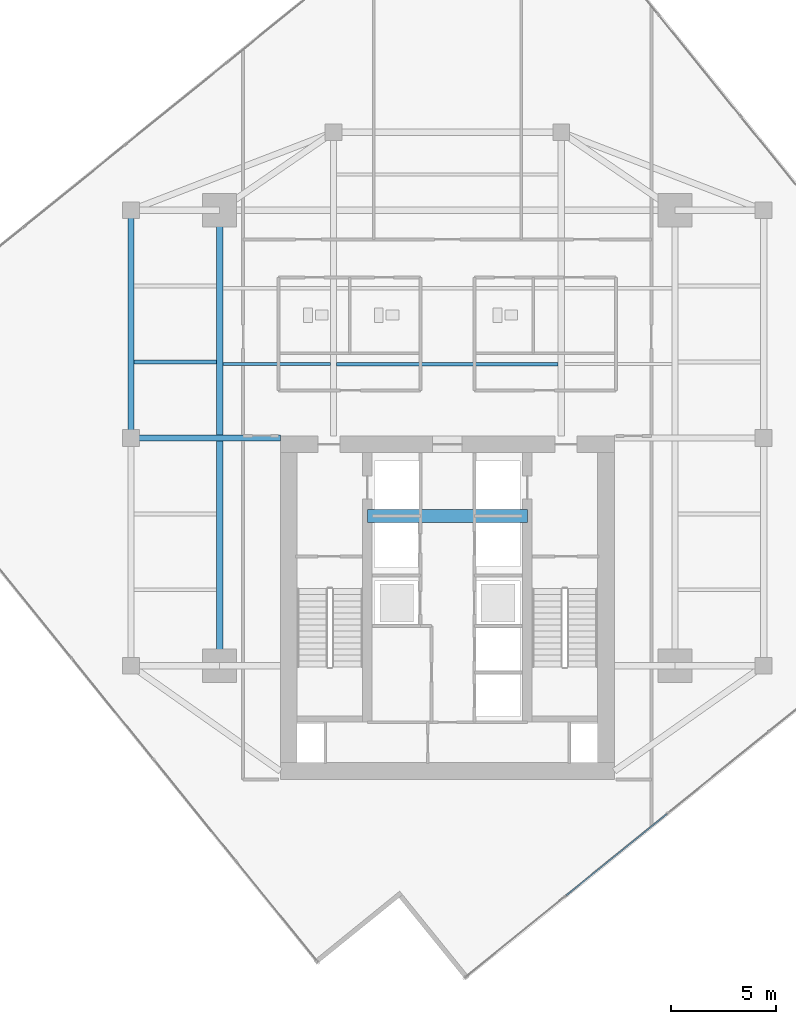
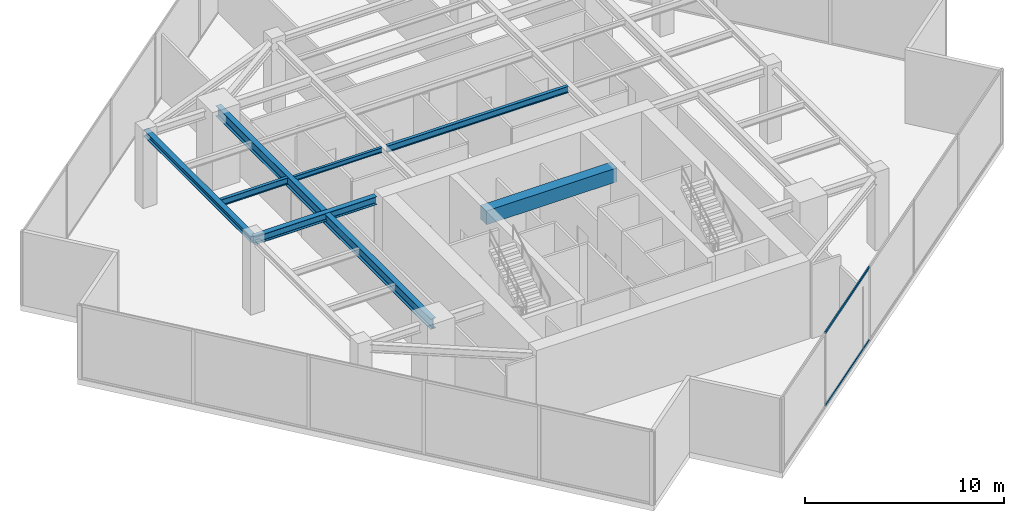
# One storey, part 7 of 22: 7 beams, 2 members, 1 element without a shape of its own.
"""IFC4 building model written with IfcOpenShell, lengths in metres."""

from ifc_helpers import new_model, si_unit, direction, frame, origin, origin_2d, place, context, subcontext, project, spatial, rectangle, hollow_rectangle, i_section, extrude, source, transform, mapped, material, material_profile, profile_set, type_object, type_shapes, element, aggregate, save


model = new_model("IFC4")

# Units and contexts
model_context = context("Model", 3, precision=1e-05, world=origin(), true_north=direction((0.0, 1.0)))
body_context = subcontext(model_context, "Body", "Model", "MODEL_VIEW")
ifc_project = project(units=[si_unit("LENGTHUNIT", "METRE"), si_unit("AREAUNIT", "SQUARE_METRE"), si_unit("VOLUMEUNIT", "CUBIC_METRE"), si_unit("PLANEANGLEUNIT", "RADIAN"), si_unit("MASSUNIT", "GRAM", prefix="KILO")], contexts=[model_context])

# Site, building, storey
site_placement = place(None, origin())
site = spatial("IfcSite", under=ifc_project, at=site_placement, CompositionType="ELEMENT")
building_placement = place(site_placement, origin())
building = spatial("IfcBuilding", under=site, at=building_placement, Name="Krantzveldt Concourse Tower", CompositionType="ELEMENT")
storey_placement = place(building_placement, frame((0.0, 0.0, 262.60009765625)))
storey = spatial("IfcBuildingStorey", under=building, at=storey_placement, Name="L64", CompositionType="ELEMENT", Elevation=262.60009765625)

# Beams
ifc_material_1 = material(Name="Steel S355JR", Category="steel")
ifc_material_profile_1 = material_profile(ifc_material_1, i_section(OverallWidth=0.300048828125, OverallDepth=0.639892578125, WebThickness=0.013427734375, FlangeThickness=0.02587890625, FilletRadius=0.027099609375, at=origin_2d()), Name="Steel S355JR", Category="steel")
ifc_profile_set_1 = profile_set([ifc_material_profile_1], Name="Steel S355JR - HEA 650")
beam_type_1 = type_object("IfcBeamType", Name="BM-B-HEA650", PredefinedType="BEAM", material=ifc_profile_set_1)
shared_shape_1 = source(origin(), body_context, "Body", "SweptSolid", [
    extrude(i_section(OverallWidth=0.300048828125, OverallDepth=0.639892578125, WebThickness=0.013427734375, FlangeThickness=0.02587890625, FilletRadius=0.027099609375, at=origin_2d()), origin(), (0.0, 0.0, 1.0), 21.60009765625),
])
type_shapes(beam_type_1, [shared_shape_1])
beam_1_placement = place(storey_placement, frame((25.199951171875, 15.89990234375, 4.199951171875), z_axis=(0.0, 1.0, 0.0), x_axis=(-1.0, 0.0, 0.0)))
element("IfcBeam", 1, at=beam_1_placement, inside=storey, type_object=beam_type_1, Name="L64 Tower Girder BG-MW", PredefinedType="BEAM", context=body_context, shape_type="MappedRepresentation", body=[
    mapped(shared_shape_1, transform((0.0, 0.0, 0.0), x_axis=(1.0, 0.0, 0.0), y_axis=(0.0, 1.0, 0.0), z_axis=(0.0, 0.0, 1.0), scale=1.0)),
])
ifc_material_profile_2 = material_profile(ifc_material_1, i_section(OverallWidth=0.179931640625, OverallDepth=0.39990234375, WebThickness=0.008544921875, FlangeThickness=0.013427734375, FilletRadius=0.02099609375, at=origin_2d()), Name="Steel S355JR", Category="steel")
ifc_profile_set_2 = profile_set([ifc_material_profile_2], Name="Steel S355JR - IPE 400")
beam_type_2 = type_object("IfcBeamType", Name="BM-J-IPE400", PredefinedType="JOIST", material=ifc_profile_set_2)
shared_shape_2 = source(origin(), body_context, "Body", "SweptSolid", [
    extrude(i_section(OverallWidth=0.179931640625, OverallDepth=0.39990234375, WebThickness=0.008544921875, FlangeThickness=0.013427734375, FilletRadius=0.02099609375, at=origin_2d()), origin(), (0.0, 0.0, 1.0), 10.5),
])
beam_2_placement = place(storey_placement, frame((30.75, 30.199951171875, 4.31982421875), z_axis=(1.0, 0.0, 0.0), x_axis=(0.0, 1.0, 0.0)))
element("IfcBeam", 2, at=beam_2_placement, inside=storey, type_object=beam_type_2, Name="L64 Secondary Floor Joist JN-C1", PredefinedType="JOIST", context=body_context, shape_type="MappedRepresentation", body=[
    mapped(shared_shape_2, transform((0.0, 0.0, 0.0), x_axis=(1.0, 0.0, 0.0), y_axis=(0.0, 1.0, 0.0), z_axis=(0.0, 0.0, 1.0), scale=1.0)),
])
ifc_material_profile_3 = material_profile(ifc_material_1, i_section(OverallWidth=0.300048828125, OverallDepth=0.389892578125, WebThickness=0.010986328125, FlangeThickness=0.01904296875, FilletRadius=0.027099609375, at=origin_2d()), Name="Steel S355JR", Category="steel")
ifc_profile_set_3 = profile_set([ifc_material_profile_3], Name="Steel S355JR - HEA 400")
beam_type_3 = type_object("IfcBeamType", Name="BM-SP-HEA400", PredefinedType="SPANDREL", material=ifc_profile_set_3)
shared_shape_3 = source(origin(), body_context, "Body", "SweptSolid", [
    extrude(i_section(OverallWidth=0.300048828125, OverallDepth=0.389892578125, WebThickness=0.010986328125, FlangeThickness=0.01904296875, FilletRadius=0.027099609375, at=origin_2d()), origin(), (0.0, 0.0, 1.0), 10.800048828125),
])
type_shapes(beam_type_3, [shared_shape_3])
beam_3_placement = place(storey_placement, frame((21.0, 26.699951171875, 4.324951171875), z_axis=(0.0, 1.0, 0.0), x_axis=(-1.0, 0.0, 0.0)))
element("IfcBeam", 3, at=beam_3_placement, inside=storey, type_object=beam_type_3, Name="L64 Tower Girder SP-R02", PredefinedType="SPANDREL", context=body_context, shape_type="MappedRepresentation", body=[
    mapped(shared_shape_3, transform((0.0, 0.0, 0.0), x_axis=(1.0, 0.0, 0.0), y_axis=(0.0, 1.0, 0.0), z_axis=(0.0, 0.0, 1.0), scale=1.0)),
])
ifc_material_profile_4 = material_profile(ifc_material_1, i_section(OverallWidth=0.300048828125, OverallDepth=0.489990234375, WebThickness=0.011962890625, FlangeThickness=0.02294921875, FilletRadius=0.027099609375, at=origin_2d()), Name="Steel S355JR", Category="steel")
ifc_profile_set_4 = profile_set([ifc_material_profile_4], Name="Steel S355JR - HEA 500")
beam_type_4 = type_object("IfcBeamType", Name="BM-B-HEA500", PredefinedType="BEAM", material=ifc_profile_set_4)
shared_shape_4 = source(origin(), body_context, "Body", "SweptSolid", [
    extrude(i_section(OverallWidth=0.300048828125, OverallDepth=0.489990234375, WebThickness=0.011962890625, FlangeThickness=0.02294921875, FilletRadius=0.027099609375, at=origin_2d()), origin(), (0.0, 0.0, 1.0), 7.080078125),
])
type_shapes(beam_type_4, [shared_shape_4])
beam_4_placement = place(storey_placement, frame((21.0, 26.699951171875, 4.27490234375), z_axis=(1.0, 0.0, 0.0), x_axis=(0.0, 1.0, 0.0)))
element("IfcBeam", 4, at=beam_4_placement, inside=storey, type_object=beam_type_4, Name="L64 Tower Girder BG-CW2", PredefinedType="BEAM", context=body_context, shape_type="MappedRepresentation", body=[
    mapped(shared_shape_4, transform((0.0, 0.0, 0.0), x_axis=(1.0, 0.0, 0.0), y_axis=(0.0, 1.0, 0.0), z_axis=(0.0, 0.0, 1.0), scale=1.0)),
])
ifc_material_profile_5 = material_profile(ifc_material_1, i_section(OverallWidth=0.14990234375, OverallDepth=0.300048828125, WebThickness=0.007080078125, FlangeThickness=0.0107421875, FilletRadius=0.014892578125, at=origin_2d()), Name="Steel S355JR", Category="steel")
ifc_profile_set_5 = profile_set([ifc_material_profile_5], Name="Steel S355JR - IPE 300")
beam_type_5 = type_object("IfcBeamType", Name="BM-J-IPE300", PredefinedType="JOIST", material=ifc_profile_set_5)
shared_shape_5 = source(origin(), body_context, "Body", "SweptSolid", [
    extrude(i_section(OverallWidth=0.14990234375, OverallDepth=0.300048828125, WebThickness=0.007080078125, FlangeThickness=0.0107421875, FilletRadius=0.014892578125, at=origin_2d()), origin(), (0.0, 0.0, 1.0), 5.099853515625),
])
type_shapes(beam_type_5, [shared_shape_5])
beam_5_placement = place(storey_placement, frame((25.35009765625, 30.199951171875, 4.369873046875), z_axis=(1.0, 0.0, 0.0), x_axis=(0.0, 1.0, 0.0)))
element("IfcBeam", 5, at=beam_5_placement, inside=storey, type_object=beam_type_5, Name="L64 Secondary Floor Joist JN-W1", PredefinedType="JOIST", context=body_context, shape_type="MappedRepresentation", body=[
    mapped(shared_shape_5, transform((0.0, 0.0, 0.0), x_axis=(1.0, 0.0, 0.0), y_axis=(0.0, 1.0, 0.0), z_axis=(0.0, 0.0, 1.0), scale=1.0)),
])
shared_shape_6 = source(origin(), body_context, "Body", "SweptSolid", [
    extrude(i_section(OverallWidth=0.179931640625, OverallDepth=0.39990234375, WebThickness=0.008544921875, FlangeThickness=0.013427734375, FilletRadius=0.02099609375, at=origin_2d()), origin(), (0.0, 0.0, 1.0), 3.900146484375),
])
type_shapes(beam_type_2, [shared_shape_2, shared_shape_6])
beam_6_placement = place(storey_placement, frame((21.14990234375, 30.300048828125, 4.31982421875), z_axis=(1.0, 0.0, 0.0), x_axis=(0.0, 1.0, 0.0)))
element("IfcBeam", 6, at=beam_6_placement, inside=storey, type_object=beam_type_2, Name="L64 Secondary Floor Joist JW-3", PredefinedType="JOIST", context=body_context, shape_type="MappedRepresentation", body=[
    mapped(shared_shape_6, transform((0.0, 0.0, 0.0), x_axis=(1.0, 0.0, 0.0), y_axis=(0.0, 1.0, 0.0), z_axis=(0.0, 0.0, 1.0), scale=1.0)),
])
ifc_material_2 = material(Name="Concrete C50/60", Category="concrete")
ifc_material_profile_6 = material_profile(ifc_material_2, rectangle(XDim=0.60009765625, YDim=0.85009765625, at=origin_2d()), Name="Concrete C50/60", Category="concrete")
ifc_profile_set_6 = profile_set([ifc_material_profile_6], Name="Concrete C50/60 - RC-CB 600x850")
beam_type_6 = type_object("IfcBeamType", Name="BM-CB-850", PredefinedType="LINTEL", material=ifc_profile_set_6)
shared_shape_7 = source(origin(), body_context, "Body", "SweptSolid", [
    extrude(rectangle(XDim=0.60009765625, YDim=0.85009765625, at=origin_2d()), origin(), (0.0, 0.0, 1.0), 7.580078125),
])
type_shapes(beam_type_6, [shared_shape_7])
beam_7_placement = place(storey_placement, frame((32.2099609375, 23.0, 4.094970703125), z_axis=(1.0, 0.0, 0.0), x_axis=(0.0, 1.0, 0.0)))
element("IfcBeam", 7, at=beam_7_placement, inside=storey, type_object=beam_type_6, Name="CB-L64-01", PredefinedType="LINTEL", context=body_context, shape_type="MappedRepresentation", body=[
    mapped(shared_shape_7, transform((0.0, 0.0, 0.0), x_axis=(1.0, 0.0, 0.0), y_axis=(0.0, 1.0, 0.0), z_axis=(0.0, 0.0, 1.0), scale=1.0)),
])

# Curtain wall, members
ifc_material_3 = material(Name="Anodised aluminium 6063-T6", Category="aluminium")
curtain_wall_type = type_object("IfcCurtainWallType", Name="CW5", PredefinedType="USERDEFINED", material=ifc_material_3)
curtain_wall_placement = place(storey_placement, origin())
curtain_wall = element("IfcCurtainWall", 8, at=curtain_wall_placement, inside=storey, type_object=curtain_wall_type, Name="CW-L64-F07", ObjectType="UNITISED CURTAIN WALL", PredefinedType="USERDEFINED")
ifc_material_profile_7 = material_profile(ifc_material_3, hollow_rectangle(XDim=0.070068359375, YDim=0.139892578125, WallThickness=0.0048828125, at=origin_2d()), Name="Anodised aluminium 6063-T6", Category="aluminium")
ifc_profile_set_7 = profile_set([ifc_material_profile_7], Name="Anodised aluminium 6063-T6 - ALU-TRAN 140x70x5")
member_type = type_object("IfcMemberType", Name="CW-TRN-150", PredefinedType="USERDEFINED", material=ifc_profile_set_7)
shared_shape_8 = source(origin(), body_context, "Body", "SweptSolid", [
    extrude(hollow_rectangle(XDim=0.070068359375, YDim=0.139892578125, WallThickness=0.0048828125, at=origin_2d()), origin(), (0.0, 0.0, 1.0), 6.1298828125),
])
type_shapes(member_type, [shared_shape_8])
member_1_placement = place(storey_placement, frame((41.644287109375, 5.0078125, 0.034912109375), z_axis=(0.777136339755, 0.629332272677, 0.0), x_axis=(-0.629332272677, 0.777136339755, 0.0)))
member_1 = element("IfcMember", 9, at=member_1_placement, type_object=member_type, Name="CW-SKY transom 2.1", ObjectType="TRANSOM", PredefinedType="USERDEFINED", context=body_context, shape_type="MappedRepresentation", body=[
    mapped(shared_shape_8, transform((0.0, 0.0, 0.0), x_axis=(1.0, 0.0, 0.0), y_axis=(0.0, 1.0, 0.0), z_axis=(0.0, 0.0, 1.0), scale=1.0)),
])
member_2_placement = place(storey_placement, frame((41.644287109375, 5.0078125, 4.48486328125), z_axis=(0.777136339755, 0.629332272677, 0.0), x_axis=(-0.629332272677, 0.777136339755, 0.0)))
member_2 = element("IfcMember", 10, at=member_2_placement, type_object=member_type, Name="CW-SKY transom 2.2", ObjectType="TRANSOM", PredefinedType="USERDEFINED", context=body_context, shape_type="MappedRepresentation", body=[
    mapped(shared_shape_8, transform((0.0, 0.0, 0.0), x_axis=(1.0, 0.0, 0.0), y_axis=(0.0, 1.0, 0.0), z_axis=(0.0, 0.0, 1.0), scale=1.0)),
])
aggregate(curtain_wall, [member_1, member_2])

save(model, "model.ifc")
